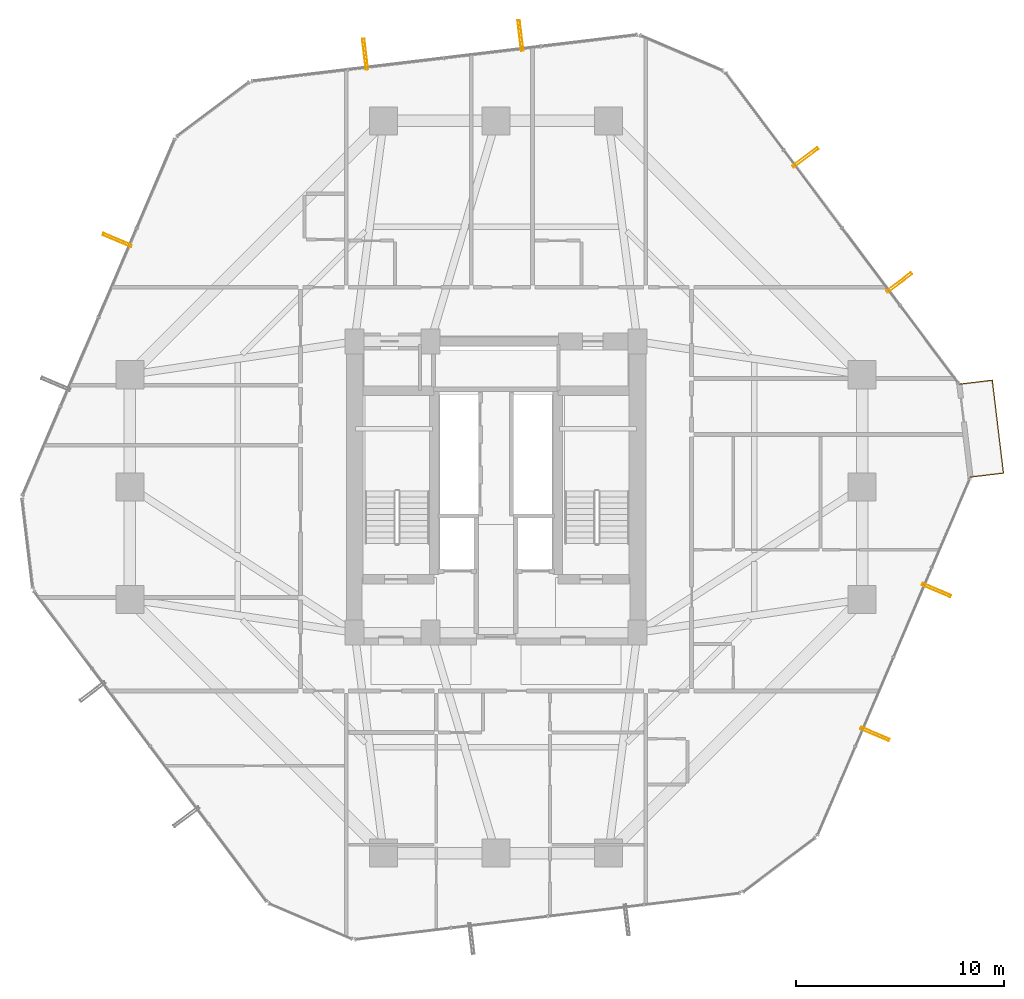
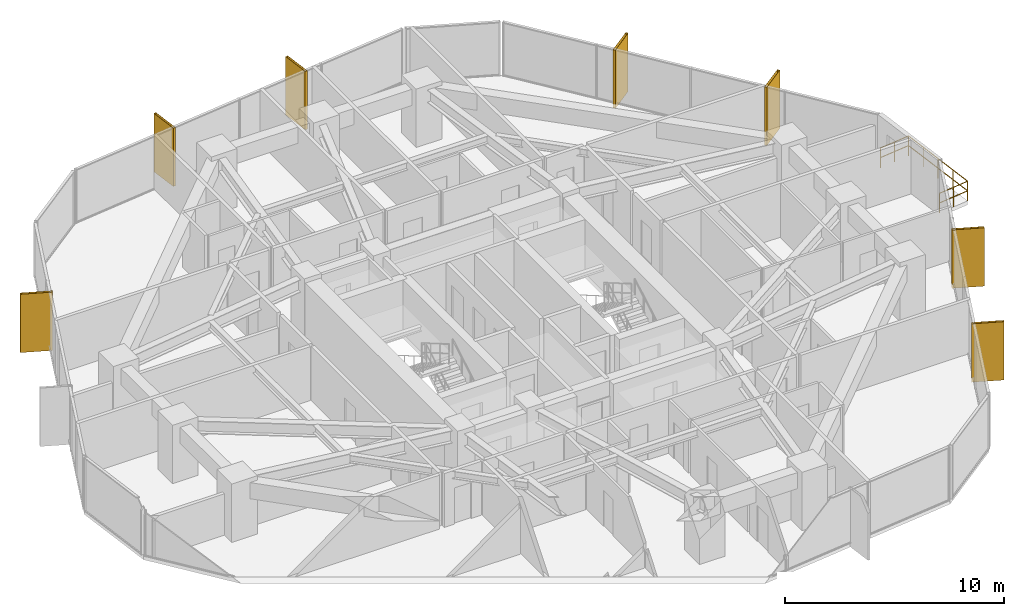
# One storey, part 37 of 37: 7 shading devices, 1 railing.
"""IFC4 building model written with IfcOpenShell, lengths in metres."""

import ifcopenshell
import ifcopenshell.guid

model = None  # the IFC model being written
_history = None  # IfcOwnerHistory: only IFC2X3 demands one
_inside = {}  # id of a spatial element -> (the spatial element, [elements in it])
_under = {}  # id of a project, library or spatial element -> (it, [spatial elements below it])
_declared = {}  # id of a project -> (the project, [libraries it declares])
_typed = {}  # id of a type object -> (the type object, [elements of that type])
_made_of = {}  # id of a material, layer set ... -> (it, [elements and type objects made of it])


def new_model(schema):
    """Start an empty IFC model of exactly this schema.

    Asked for "IFC4X3", IfcOpenShell would pick the latest addendum, in which some entities
    have other attributes; the version numbers below select the first issue.
    IFC2X3 requires an IfcOwnerHistory on every rooted entity: one is made here for all.
    """
    global model, _history
    if schema == "IFC4X3":
        model = ifcopenshell.file(schema_version=(4, 3, 0, 0))
    else:
        model = ifcopenshell.file(schema=schema)
    _inside.clear()
    _under.clear()
    _declared.clear()
    _typed.clear()
    _made_of.clear()
    _history = None
    if model.schema == "IFC2X3":
        org = make("IfcOrganization", Name="unknown")
        user = make(
            "IfcPersonAndOrganization",
            ThePerson=make("IfcPerson", FamilyName="unknown"),
            TheOrganization=org,
        )
        app = make(
            "IfcApplication",
            ApplicationDeveloper=org,
            Version="unknown",
            ApplicationFullName="unknown",
            ApplicationIdentifier="unknown",
        )
        _history = make(
            "IfcOwnerHistory",
            OwningUser=user,
            OwningApplication=app,
            ChangeAction="ADDED",
            CreationDate=0,
        )
    return model


def make(cls, **values):
    """One entity of the class cls with the attributes given. An attribute that is None is left unset."""
    return model.create_entity(
        cls, **{name: value for name, value in values.items() if value is not None}
    )


def rooted(cls, **values):
    """An entity with a GlobalId (a new one), such as an element, a storey or a relation."""
    return make(cls, GlobalId=ifcopenshell.guid.new(), OwnerHistory=_history, **values)


def si_unit(unit_type, name, prefix=None):
    """IfcSIUnit, for example si_unit("LENGTHUNIT", "METRE", prefix="MILLI")."""
    return make("IfcSIUnit", UnitType=unit_type, Prefix=prefix, Name=name)


def assignment(units):
    """IfcUnitAssignment: the units of a project."""
    return None if units is None else make("IfcUnitAssignment", Units=units)


def point(xyz):
    """IfcCartesianPoint."""
    return None if xyz is None else make("IfcCartesianPoint", Coordinates=xyz)


def direction(xyz):
    """IfcDirection."""
    return None if xyz is None else make("IfcDirection", DirectionRatios=xyz)


def frame(location, z_axis=None, x_axis=None):
    """IfcAxis2Placement3D, a coordinate frame: its origin and axes. An axis left out is left unset."""
    return make(
        "IfcAxis2Placement3D",
        Location=point(location),
        Axis=direction(z_axis),
        RefDirection=direction(x_axis),
    )


def frame_2d(location, x_axis=None):
    """IfcAxis2Placement2D, a coordinate frame in the plane: its origin and x axis."""
    return make(
        "IfcAxis2Placement2D", Location=point(location), RefDirection=direction(x_axis)
    )


def origin():
    """The frame at (0, 0, 0) with its axes left unset."""
    return frame((0.0, 0.0, 0.0))


def origin_2d():
    """The frame at (0, 0) in the plane with its x axis left unset."""
    return frame_2d((0.0, 0.0))


def place(relative_to, where):
    """IfcLocalPlacement: puts the frame where relative to a parent placement (None: the world)."""
    return make(
        "IfcLocalPlacement", PlacementRelTo=relative_to, RelativePlacement=where
    )


def context(
    kind, dimensions, precision=None, world=None, true_north=None, identifier=None
):
    """IfcGeometricRepresentationContext, for example the 3D "Model" context."""
    return make(
        "IfcGeometricRepresentationContext",
        ContextIdentifier=identifier,
        ContextType=kind,
        CoordinateSpaceDimension=dimensions,
        Precision=precision,
        WorldCoordinateSystem=world,
        TrueNorth=true_north,
    )


def subcontext(parent, identifier, kind, view, scale=None):
    """IfcGeometricRepresentationSubContext, for example "Body" below "Model"."""
    return make(
        "IfcGeometricRepresentationSubContext",
        ContextIdentifier=identifier,
        ContextType=kind,
        ParentContext=parent,
        TargetScale=scale,
        TargetView=view,
    )


def project(units=None, contexts=None):
    """IfcProject with its units and contexts."""
    return rooted(
        "IfcProject",
        Name="project",
        RepresentationContexts=contexts,
        UnitsInContext=assignment(units),
    )


def spatial(cls, under=None, at=None, **own):
    """A site, building, storey or space (cls), placed at a placement, below another one or the project."""
    s = rooted(cls, ObjectPlacement=at, **own)
    if under is not None:
        _under.setdefault(under.id(), (under, []))[1].append(s)
    return s


def profile(cls, at=None, kind="AREA", **sizes):
    """A parametric profile (cls). Its sizes go by their IFC names, for example OverallWidth=200.0."""
    return make(cls, ProfileType=kind, Position=at, **sizes)


def hollow_rectangle(**sizes):
    """IfcRectangleHollowProfileDef."""
    return profile("IfcRectangleHollowProfileDef", **sizes)


def circle(**sizes):
    """IfcCircleProfileDef."""
    return profile("IfcCircleProfileDef", **sizes)


def extrude(swept, where, along, depth):
    """IfcExtrudedAreaSolid: the profile swept, set in the frame where, extruded along a direction by depth."""
    return make(
        "IfcExtrudedAreaSolid",
        SweptArea=swept,
        Position=where,
        ExtrudedDirection=direction(along),
        Depth=depth,
    )


def shape(context_of_items, identifier, shape_type, items):
    """IfcShapeRepresentation: the items that make up one representation, for example the "Body"."""
    return make(
        "IfcShapeRepresentation",
        ContextOfItems=context_of_items,
        RepresentationIdentifier=identifier,
        RepresentationType=shape_type,
        Items=items,
    )


def material(Name=None, Category=None):
    """IfcMaterial."""
    return make("IfcMaterial", Name=Name, Category=Category)


def material_profile(
    of_material, cross_section, Name=None, Category=None, Priority=None
):
    """IfcMaterialProfile: a cross section and its material."""
    return make(
        "IfcMaterialProfile",
        Name=Name,
        Material=of_material,
        Profile=cross_section,
        Priority=Priority,
        Category=Category,
    )


def profile_set(profiles, Name=None, composite=None):
    """IfcMaterialProfileSet."""
    return make(
        "IfcMaterialProfileSet",
        Name=Name,
        MaterialProfiles=profiles,
        CompositeProfile=composite,
    )


def made_of(thing, what):
    """Note that an element or type object is made of a material, layer set ...; save() writes the relation."""
    if what is not None:
        _made_of.setdefault(what.id(), (what, []))[1].append(thing)
    return thing


def type_object(cls, material=None, **own):
    """A type object (cls), such as IfcWallType, which elements share."""
    return made_of(rooted(cls, **own), material)


def element(
    cls,
    number,
    at=None,
    inside=None,
    cuts=None,
    type_object=None,
    material=None,
    context=None,
    identifier="Body",
    shape_type=None,
    held_by="IfcProductDefinitionShape",
    body=None,
    shapes=None,
    **own,
):
    """One element of the class cls, such as IfcWall. Its Tag is "e" and its number.

    at: its placement. inside: the storey or other place that contains it. cuts: it is an
    opening in that element (IfcRelVoidsElement). A single representation is given by context,
    identifier, shape_type and body (its items); several are given by shapes. held_by: the class
    of the entity that holds the representations. save() writes the other relations.
    """
    e = rooted(cls, Tag="e%d" % number, ObjectPlacement=at, **own)
    if body is not None:
        shapes = [shape(context, identifier, shape_type, body)]
    if shapes is not None:
        e.Representation = make(held_by, Representations=shapes)
    if inside is not None:
        _inside.setdefault(inside.id(), (inside, []))[1].append(e)
    if cuts is not None:
        rooted(
            "IfcRelVoidsElement", RelatingBuildingElement=cuts, RelatedOpeningElement=e
        )
    if type_object is not None:
        _typed.setdefault(type_object.id(), (type_object, []))[1].append(e)
    return made_of(e, material)


def aggregate(whole, parts):
    """IfcRelAggregates: a whole, such as a stair, and the parts it consists of."""
    return rooted("IfcRelAggregates", RelatingObject=whole, RelatedObjects=parts)


def save(model, path):
    """Write the relations noted so far, then the file.

    IfcRelAggregates (storeys below a building ...), IfcRelContainedInSpatialStructure (elements
    in a storey), IfcRelDefinesByType, IfcRelAssociatesMaterial and IfcRelDeclares: one each for
    every whole, place, type object, material and project.
    """
    for whole, parts in _under.values():
        aggregate(whole, parts)
    for where, things in _inside.values():
        rooted(
            "IfcRelContainedInSpatialStructure",
            RelatedElements=things,
            RelatingStructure=where,
        )
    for kind, things in _typed.values():
        rooted("IfcRelDefinesByType", RelatedObjects=things, RelatingType=kind)
    for what, things in _made_of.values():
        rooted("IfcRelAssociatesMaterial", RelatedObjects=things, RelatingMaterial=what)
    for by, libraries in _declared.values():
        rooted("IfcRelDeclares", RelatingContext=by, RelatedDefinitions=libraries)
    model.write(path)


model = new_model("IFC4")

# Units and contexts
model_context = context("Model", 3, precision=1e-05, world=origin(), true_north=direction((0.0, 1.0)))
body_context = subcontext(model_context, "Body", "Model", "MODEL_VIEW")
ifc_project = project(units=[si_unit("LENGTHUNIT", "METRE"), si_unit("AREAUNIT", "SQUARE_METRE"), si_unit("VOLUMEUNIT", "CUBIC_METRE"), si_unit("PLANEANGLEUNIT", "RADIAN"), si_unit("MASSUNIT", "GRAM", prefix="KILO")], contexts=[model_context])

# Site, building, storey
site_placement = place(None, origin())
site = spatial("IfcSite", under=ifc_project, at=site_placement, CompositionType="ELEMENT")
building_placement = place(site_placement, origin())
building = spatial("IfcBuilding", under=site, at=building_placement, Name="Veraguas Prism Commons", CompositionType="ELEMENT")
storey_placement = place(building_placement, frame((0.0, 0.0, 46.800048828125)))
storey = spatial("IfcBuildingStorey", under=building, at=storey_placement, Name="L12", CompositionType="ELEMENT", Elevation=46.800048828125)

# Shading devices
ifc_material_1 = material(Name="Anodised aluminium EN AW-6063 T6", Category="aluminium")
ifc_material_profile = material_profile(ifc_material_1, hollow_rectangle(XDim=0.1201171875, YDim=1.489990234375, WallThickness=0.006103515625, at=origin_2d()), Name="FIN120X1490X6")
ifc_profile_set = profile_set([ifc_material_profile], Name="Anodised aluminium EN AW-6063 T6")
shading_device_type = type_object("IfcShadingDeviceType", Name="Deep Pale-Metal Vertical Solar Fin 120x1490", PredefinedType="USERDEFINED", material=ifc_profile_set)
for number, where, z_axis, x_axis, name in (
    (1, (43.385986328125, 33.833740234375, -0.22998046875), (0.0, 0.0, 1.0), (-0.599861793842, 0.800103635968, 0.0), "Vertical Pale-Metal Solar Fin L12-F1A"),
    (2, (38.8740234375, 39.851806640625, -0.22998046875), (0.0, 0.0, 1.0), (-0.599861793842, 0.800103635968, 0.0), "Vertical Pale-Metal Solar Fin L12-F1B"),
    (3, (25.176513671875, 45.70556640625, -0.22998046875), (0.0, 0.0, 1.0), (-0.992840971329, -0.119443734243, 0.0), "Vertical Pale-Metal Solar Fin L12-F2A"),
    (4, (17.708984375, 44.80712890625, -0.22998046875), (0.0, 0.0, 1.0), (-0.992840971329, -0.119443734243, 0.0), "Vertical Pale-Metal Solar Fin L12-F2B"),
    (5, (5.790771484375, 35.87158203125, -0.22998046875), (0.0, 0.0, 1.0), (-0.392979177488, -0.919547370211, 0.0), "Vertical Pale-Metal Solar Fin L12-F3A"),
    (6, (42.209228515625, 12.12841796875, -0.22998046875), (0.0, 0.0, 1.0), (0.392979177488, 0.919547370211, 0.0), "Vertical Pale-Metal Solar Fin L12-F6A"),
    (7, (45.1650390625, 19.044677734375, -0.22998046875), (0.0, 0.0, 1.0), (0.392979177488, 0.919547370211, 0.0), "Vertical Pale-Metal Solar Fin L12-F6B"),
):
    element("IfcShadingDevice", number, at=place(storey_placement, frame(where, z_axis=z_axis, x_axis=x_axis)), inside=storey, type_object=shading_device_type, Name=name, ObjectType="FIN", PredefinedType="USERDEFINED", context=body_context, shape_type="SweptSolid", body=[
        extrude(hollow_rectangle(XDim=0.1201171875, YDim=1.489990234375, WallThickness=0.006103515625, at=origin_2d()), origin(), (0.0, 0.0, 1.0), 3.25),
    ])

# Railing
ifc_material_2 = material(Name="Stainless steel AISI 316", Category="steel")
railing_type = type_object("IfcRailingType", Name="Loggia and Sky Pool Glazed Balustrade 1120", PredefinedType="BALUSTRADE", material=ifc_material_2)
railing_placement = place(storey_placement, frame((46.80712890625, 24.4775390625, 0.0)))
element("IfcRailing", 8, at=railing_placement, inside=storey, type_object=railing_type, Name="Recessed Corner Loggia L12-C1 Guard", PredefinedType="BALUSTRADE", context=body_context, shape_type="SweptSolid", body=[
    extrude(circle(Radius=0.02392578125, at=origin_2d()), frame((0.0, 0.0, 1.09619140625), z_axis=(0.992837798022, 0.119470108476, 0.0), x_axis=(-0.119470108476, 0.992837798022, 0.0)), (0.0, 0.0, 1.0), 1.60009765625),
    extrude(circle(Radius=0.02392578125, at=origin_2d()), frame((0.0, 0.0, 0.56005859375), z_axis=(0.992837798022, 0.119470108476, 0.0), x_axis=(-0.119470108476, 0.992837798022, 0.0)), (0.0, 0.0, 1.0), 1.60009765625),
    extrude(circle(Radius=0.02392578125, at=origin_2d()), frame((1.588623046875, 0.191162109375, 1.09619140625), z_axis=(-0.119466114186, 0.992838278654, 0.0), x_axis=(-0.992838278654, -0.119466114186, 0.0)), (0.0, 0.0, 1.0), 4.5),
    extrude(circle(Radius=0.02392578125, at=origin_2d()), frame((1.588623046875, 0.191162109375, 0.56005859375), z_axis=(-0.119466114186, 0.992838278654, 0.0), x_axis=(-0.992838278654, -0.119466114186, 0.0)), (0.0, 0.0, 1.0), 4.5),
    extrude(circle(Radius=0.02392578125, at=origin_2d()), frame((1.051025390625, 4.658935546875, 1.09619140625), z_axis=(-0.992835619737, -0.119488209384, 0.0), x_axis=(0.119488209384, -0.992835619737, 0.0)), (0.0, 0.0, 1.0), 1.599853515625),
    extrude(circle(Radius=0.02392578125, at=origin_2d()), frame((1.051025390625, 4.658935546875, 0.56005859375), z_axis=(-0.992835619737, -0.119488209384, 0.0), x_axis=(0.119488209384, -0.992835619737, 0.0)), (0.0, 0.0, 1.0), 1.599853515625),
    extrude(circle(Radius=0.02099609375, at=origin_2d()), origin(), (0.0, 0.0, 1.0), 1.072021484375),
    extrude(circle(Radius=0.02099609375, at=origin_2d()), frame((0.79443359375, 0.095703125, 0.0)), (0.0, 0.0, 1.0), 1.072021484375),
    extrude(circle(Radius=0.02099609375, at=origin_2d()), frame((1.588623046875, 0.191162109375, 0.0)), (0.0, 0.0, 1.0), 1.072021484375),
    extrude(circle(Radius=0.02099609375, at=origin_2d()), frame((1.4541015625, 1.30810546875, 0.0)), (0.0, 0.0, 1.0), 1.072021484375),
    extrude(circle(Radius=0.02099609375, at=origin_2d()), frame((1.31982421875, 2.425048828125, 0.0)), (0.0, 0.0, 1.0), 1.072021484375),
    extrude(circle(Radius=0.02099609375, at=origin_2d()), frame((1.185546875, 3.5419921875, 0.0)), (0.0, 0.0, 1.0), 1.072021484375),
    extrude(circle(Radius=0.02099609375, at=origin_2d()), frame((1.051025390625, 4.658935546875, 0.0)), (0.0, 0.0, 1.0), 1.072021484375),
    extrude(circle(Radius=0.02099609375, at=origin_2d()), frame((0.2568359375, 4.5634765625, 0.0)), (0.0, 0.0, 1.0), 1.072021484375),
    extrude(circle(Radius=0.02099609375, at=origin_2d()), frame((-0.537353515625, 4.4677734375, 0.0)), (0.0, 0.0, 1.0), 1.072021484375),
])

save(model, "model.ifc")
